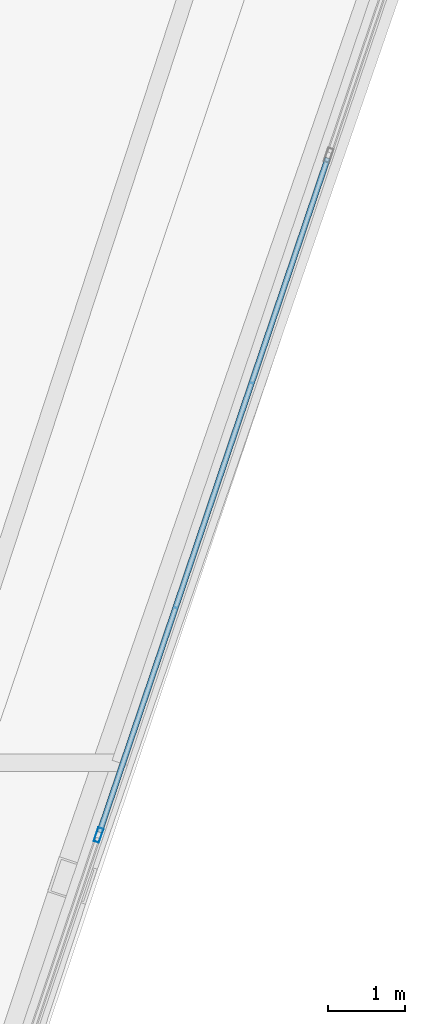
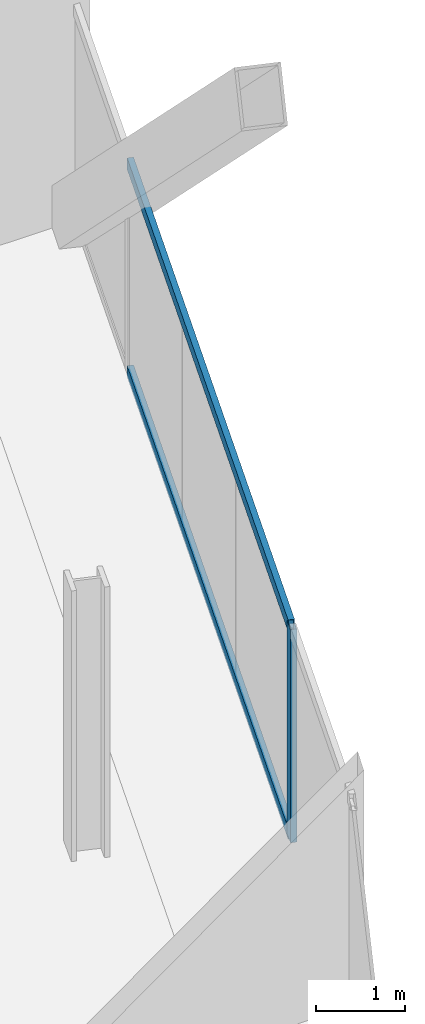
# One storey, part 10 of 29: 3 members, 1 element without a shape of its own.
"""IFC4 building model written with IfcOpenShell, lengths in metres."""

from ifc_helpers import new_model, si_unit, direction, frame, origin, origin_2d, place, context, subcontext, project, spatial, hollow_rectangle, extrude, material, material_profile, profile_set, type_object, element, aggregate, save


model = new_model("IFC4")

# Units and contexts
model_context = context("Model", 3, precision=1e-05, world=origin(), true_north=direction((0.0, 1.0)))
body_context = subcontext(model_context, "Body", "Model", "MODEL_VIEW")
ifc_project = project(units=[si_unit("LENGTHUNIT", "METRE"), si_unit("AREAUNIT", "SQUARE_METRE"), si_unit("VOLUMEUNIT", "CUBIC_METRE"), si_unit("PLANEANGLEUNIT", "RADIAN"), si_unit("MASSUNIT", "GRAM", prefix="KILO")], contexts=[model_context])

# Site, building, storey
site_placement = place(None, origin())
site = spatial("IfcSite", under=ifc_project, at=site_placement, CompositionType="ELEMENT")
building_placement = place(site_placement, origin())
building = spatial("IfcBuilding", under=site, at=building_placement, Name="Haldenkirk Collegiate Tower", CompositionType="ELEMENT")
storey_placement = place(building_placement, frame((0.0, 0.0, 267.449951171875)))
storey = spatial("IfcBuildingStorey", under=building, at=storey_placement, Name="L67", CompositionType="ELEMENT", Elevation=267.449951171875)

# Curtain wall, members
ifc_material = material(Name="Anodised architectural bronze aluminium", Category="aluminium")
curtain_wall_type = type_object("IfcCurtainWallType", Name="CW-SYS2-CONCAVE", PredefinedType="USERDEFINED", material=ifc_material)
curtain_wall_placement = place(storey_placement, origin())
curtain_wall = element("IfcCurtainWall", 1, at=curtain_wall_placement, inside=storey, type_object=curtain_wall_type, Name="L67 South concave recessed bronze-anodised curtain wall", ObjectType="UNITISED CURTAIN WALL", PredefinedType="USERDEFINED")
ifc_material_profile_1 = material_profile(ifc_material, hollow_rectangle(XDim=0.074951171875, YDim=0.18994140625, WallThickness=0.0048828125, at=origin_2d()), Name="CW-MUL-02")
ifc_profile_set_1 = profile_set([ifc_material_profile_1], Name="Anodised architectural bronze aluminium")
member_type_1 = type_object("IfcMemberType", Name="CW-MUL-02", PredefinedType="MULLION", material=ifc_profile_set_1)
member_1_placement = place(storey_placement, frame((57.615234375, 18.68359375, 0.0), z_axis=(0.0, 0.0, 1.0), x_axis=(0.947210310666, -0.320612893328, 0.0)))
member_1 = element("IfcMember", 2, at=member_1_placement, type_object=member_type_1, Name="CW-02 mullion 3", PredefinedType="MULLION", context=body_context, shape_type="SweptSolid", body=[
    extrude(hollow_rectangle(XDim=0.074951171875, YDim=0.18994140625, WallThickness=0.0048828125, at=origin_2d()), origin(), (0.0, 0.0, 1.0), 2.93798828125),
])
ifc_material_profile_2 = material_profile(ifc_material, hollow_rectangle(XDim=0.074951171875, YDim=0.159912109375, WallThickness=0.0048828125, at=origin_2d()), Name="CW-TRN-02")
ifc_profile_set_2 = profile_set([ifc_material_profile_2], Name="Anodised architectural bronze aluminium")
member_type_2 = type_object("IfcMemberType", Name="CW-TRN-02", PredefinedType="USERDEFINED", material=ifc_profile_set_2)
member_2_placement = place(storey_placement, frame((60.60107421875, 27.50439453125, 0.03759765625), z_axis=(-0.320615068285, -0.947209574481, 0.0), x_axis=(0.947209574481, -0.320615068285, 0.0)))
member_2 = element("IfcMember", 3, at=member_2_placement, type_object=member_type_2, Name="CW-02 transom 2.1", ObjectType="TRANSOM", PredefinedType="USERDEFINED", context=body_context, shape_type="SweptSolid", body=[
    extrude(hollow_rectangle(XDim=0.074951171875, YDim=0.159912109375, WallThickness=0.0048828125, at=origin_2d()), origin(), (0.0, 0.0, 1.0), 9.274658203125),
])
member_3_placement = place(storey_placement, frame((60.60107421875, 27.50439453125, 2.900634765625), z_axis=(-0.320615068285, -0.947209574481, 0.0), x_axis=(0.947209574481, -0.320615068285, 0.0)))
member_3 = element("IfcMember", 4, at=member_3_placement, type_object=member_type_2, Name="CW-02 transom 2.2", ObjectType="TRANSOM", PredefinedType="USERDEFINED", context=body_context, shape_type="SweptSolid", body=[
    extrude(hollow_rectangle(XDim=0.074951171875, YDim=0.159912109375, WallThickness=0.0048828125, at=origin_2d()), origin(), (0.0, 0.0, 1.0), 9.274658203125),
])
aggregate(curtain_wall, [member_1, member_2, member_3])

save(model, "model.ifc")
